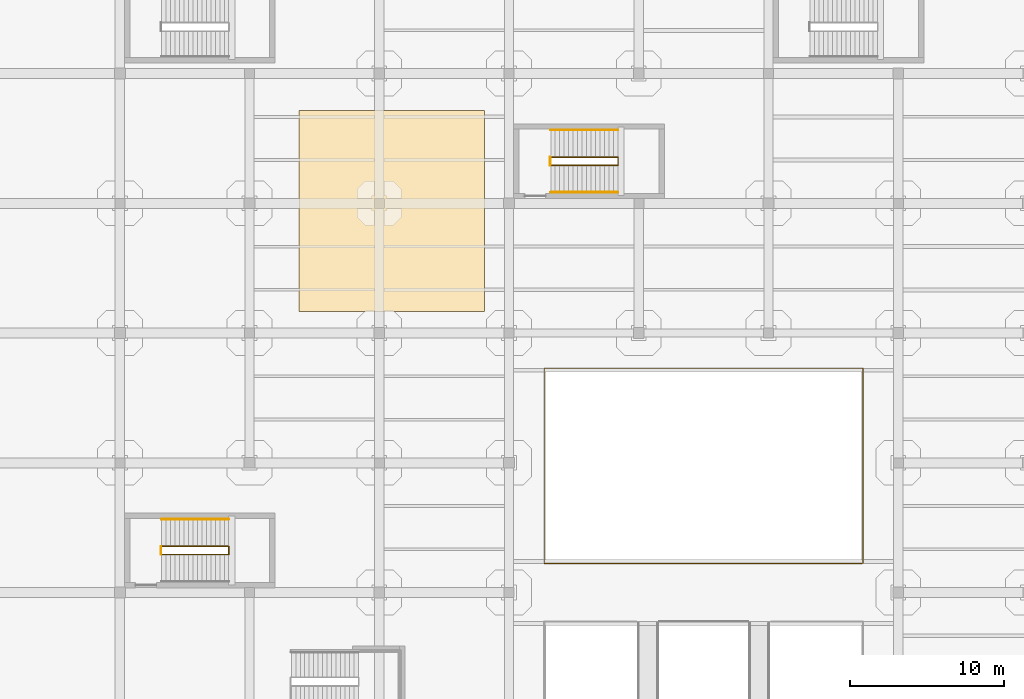
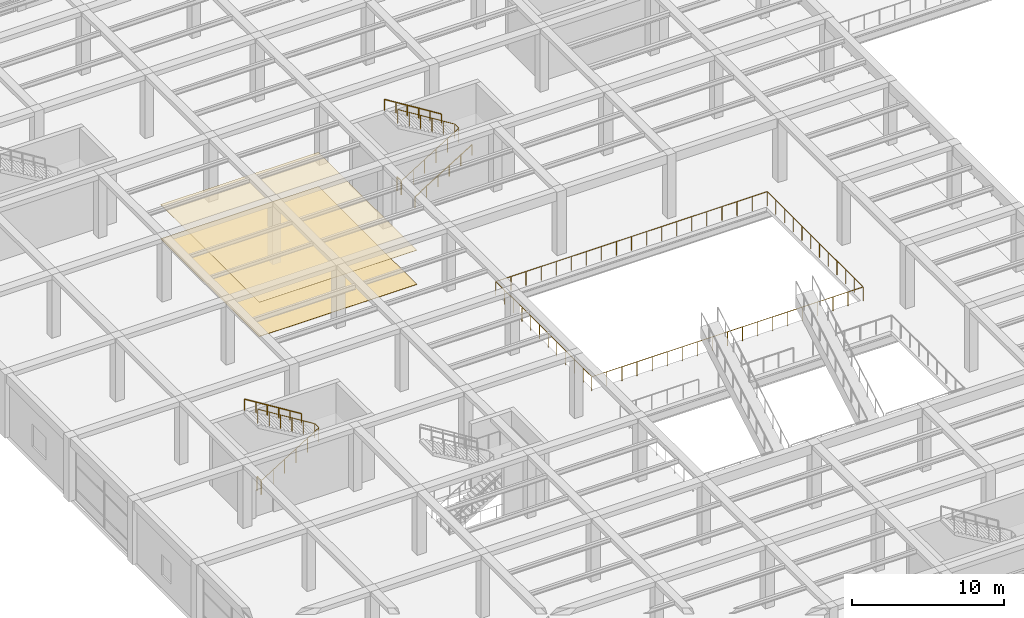
# One storey, part 88 of 96: 8 railings, 2 coverings.
"""IFC4 building model written with IfcOpenShell, lengths in metres."""

import ifcopenshell
import ifcopenshell.guid

model = None  # the IFC model being written
_history = None  # IfcOwnerHistory: only IFC2X3 demands one
_inside = {}  # id of a spatial element -> (the spatial element, [elements in it])
_under = {}  # id of a project, library or spatial element -> (it, [spatial elements below it])
_declared = {}  # id of a project -> (the project, [libraries it declares])
_typed = {}  # id of a type object -> (the type object, [elements of that type])
_made_of = {}  # id of a material, layer set ... -> (it, [elements and type objects made of it])


def new_model(schema):
    """Start an empty IFC model of exactly this schema.

    Asked for "IFC4X3", IfcOpenShell would pick the latest addendum, in which some entities
    have other attributes; the version numbers below select the first issue.
    IFC2X3 requires an IfcOwnerHistory on every rooted entity: one is made here for all.
    """
    global model, _history
    if schema == "IFC4X3":
        model = ifcopenshell.file(schema_version=(4, 3, 0, 0))
    else:
        model = ifcopenshell.file(schema=schema)
    _inside.clear()
    _under.clear()
    _declared.clear()
    _typed.clear()
    _made_of.clear()
    _history = None
    if model.schema == "IFC2X3":
        org = make("IfcOrganization", Name="unknown")
        user = make(
            "IfcPersonAndOrganization",
            ThePerson=make("IfcPerson", FamilyName="unknown"),
            TheOrganization=org,
        )
        app = make(
            "IfcApplication",
            ApplicationDeveloper=org,
            Version="unknown",
            ApplicationFullName="unknown",
            ApplicationIdentifier="unknown",
        )
        _history = make(
            "IfcOwnerHistory",
            OwningUser=user,
            OwningApplication=app,
            ChangeAction="ADDED",
            CreationDate=0,
        )
    return model


def make(cls, **values):
    """One entity of the class cls with the attributes given. An attribute that is None is left unset."""
    return model.create_entity(
        cls, **{name: value for name, value in values.items() if value is not None}
    )


def rooted(cls, **values):
    """An entity with a GlobalId (a new one), such as an element, a storey or a relation."""
    return make(cls, GlobalId=ifcopenshell.guid.new(), OwnerHistory=_history, **values)


def si_unit(unit_type, name, prefix=None):
    """IfcSIUnit, for example si_unit("LENGTHUNIT", "METRE", prefix="MILLI")."""
    return make("IfcSIUnit", UnitType=unit_type, Prefix=prefix, Name=name)


def assignment(units):
    """IfcUnitAssignment: the units of a project."""
    return None if units is None else make("IfcUnitAssignment", Units=units)


def point(xyz):
    """IfcCartesianPoint."""
    return None if xyz is None else make("IfcCartesianPoint", Coordinates=xyz)


def direction(xyz):
    """IfcDirection."""
    return None if xyz is None else make("IfcDirection", DirectionRatios=xyz)


def frame(location, z_axis=None, x_axis=None):
    """IfcAxis2Placement3D, a coordinate frame: its origin and axes. An axis left out is left unset."""
    return make(
        "IfcAxis2Placement3D",
        Location=point(location),
        Axis=direction(z_axis),
        RefDirection=direction(x_axis),
    )


def frame_2d(location, x_axis=None):
    """IfcAxis2Placement2D, a coordinate frame in the plane: its origin and x axis."""
    return make(
        "IfcAxis2Placement2D", Location=point(location), RefDirection=direction(x_axis)
    )


def origin():
    """The frame at (0, 0, 0) with its axes left unset."""
    return frame((0.0, 0.0, 0.0))


def origin_2d():
    """The frame at (0, 0) in the plane with its x axis left unset."""
    return frame_2d((0.0, 0.0))


def place(relative_to, where):
    """IfcLocalPlacement: puts the frame where relative to a parent placement (None: the world)."""
    return make(
        "IfcLocalPlacement", PlacementRelTo=relative_to, RelativePlacement=where
    )


def context(
    kind, dimensions, precision=None, world=None, true_north=None, identifier=None
):
    """IfcGeometricRepresentationContext, for example the 3D "Model" context."""
    return make(
        "IfcGeometricRepresentationContext",
        ContextIdentifier=identifier,
        ContextType=kind,
        CoordinateSpaceDimension=dimensions,
        Precision=precision,
        WorldCoordinateSystem=world,
        TrueNorth=true_north,
    )


def subcontext(parent, identifier, kind, view, scale=None):
    """IfcGeometricRepresentationSubContext, for example "Body" below "Model"."""
    return make(
        "IfcGeometricRepresentationSubContext",
        ContextIdentifier=identifier,
        ContextType=kind,
        ParentContext=parent,
        TargetScale=scale,
        TargetView=view,
    )


def project(units=None, contexts=None):
    """IfcProject with its units and contexts."""
    return rooted(
        "IfcProject",
        Name="project",
        RepresentationContexts=contexts,
        UnitsInContext=assignment(units),
    )


def spatial(cls, under=None, at=None, **own):
    """A site, building, storey or space (cls), placed at a placement, below another one or the project."""
    s = rooted(cls, ObjectPlacement=at, **own)
    if under is not None:
        _under.setdefault(under.id(), (under, []))[1].append(s)
    return s


def polyline(points):
    """IfcPolyline through the points."""
    return make("IfcPolyline", Points=[point(p) for p in points])


def profile(cls, at=None, kind="AREA", **sizes):
    """A parametric profile (cls). Its sizes go by their IFC names, for example OverallWidth=200.0."""
    return make(cls, ProfileType=kind, Position=at, **sizes)


def circle(**sizes):
    """IfcCircleProfileDef."""
    return profile("IfcCircleProfileDef", **sizes)


def outline(outer, holes=None, kind="AREA"):
    """IfcArbitraryClosedProfileDef: a profile drawn as a closed curve; with holes, ...WithVoids."""
    if holes is None:
        return make("IfcArbitraryClosedProfileDef", ProfileType=kind, OuterCurve=outer)
    return make(
        "IfcArbitraryProfileDefWithVoids",
        ProfileType=kind,
        OuterCurve=outer,
        InnerCurves=holes,
    )


def extrude(swept, where, along, depth):
    """IfcExtrudedAreaSolid: the profile swept, set in the frame where, extruded along a direction by depth."""
    return make(
        "IfcExtrudedAreaSolid",
        SweptArea=swept,
        Position=where,
        ExtrudedDirection=direction(along),
        Depth=depth,
    )


def shape(context_of_items, identifier, shape_type, items):
    """IfcShapeRepresentation: the items that make up one representation, for example the "Body"."""
    return make(
        "IfcShapeRepresentation",
        ContextOfItems=context_of_items,
        RepresentationIdentifier=identifier,
        RepresentationType=shape_type,
        Items=items,
    )


def material(Name=None, Category=None):
    """IfcMaterial."""
    return make("IfcMaterial", Name=Name, Category=Category)


def layer(
    of_material, thickness, ventilated=None, Name=None, Category=None, Priority=None
):
    """IfcMaterialLayer: one layer of a wall or slab, of a material (None: an air gap)."""
    return make(
        "IfcMaterialLayer",
        Material=of_material,
        LayerThickness=thickness,
        IsVentilated=ventilated,
        Name=Name,
        Category=Category,
        Priority=Priority,
    )


def layer_set(layers, Name=None):
    """IfcMaterialLayerSet."""
    return make("IfcMaterialLayerSet", MaterialLayers=layers, LayerSetName=Name)


def made_of(thing, what):
    """Note that an element or type object is made of a material, layer set ...; save() writes the relation."""
    if what is not None:
        _made_of.setdefault(what.id(), (what, []))[1].append(thing)
    return thing


def type_object(cls, material=None, **own):
    """A type object (cls), such as IfcWallType, which elements share."""
    return made_of(rooted(cls, **own), material)


def element(
    cls,
    number,
    at=None,
    inside=None,
    cuts=None,
    type_object=None,
    material=None,
    context=None,
    identifier="Body",
    shape_type=None,
    held_by="IfcProductDefinitionShape",
    body=None,
    shapes=None,
    **own,
):
    """One element of the class cls, such as IfcWall. Its Tag is "e" and its number.

    at: its placement. inside: the storey or other place that contains it. cuts: it is an
    opening in that element (IfcRelVoidsElement). A single representation is given by context,
    identifier, shape_type and body (its items); several are given by shapes. held_by: the class
    of the entity that holds the representations. save() writes the other relations.
    """
    e = rooted(cls, Tag="e%d" % number, ObjectPlacement=at, **own)
    if body is not None:
        shapes = [shape(context, identifier, shape_type, body)]
    if shapes is not None:
        e.Representation = make(held_by, Representations=shapes)
    if inside is not None:
        _inside.setdefault(inside.id(), (inside, []))[1].append(e)
    if cuts is not None:
        rooted(
            "IfcRelVoidsElement", RelatingBuildingElement=cuts, RelatedOpeningElement=e
        )
    if type_object is not None:
        _typed.setdefault(type_object.id(), (type_object, []))[1].append(e)
    return made_of(e, material)


def aggregate(whole, parts):
    """IfcRelAggregates: a whole, such as a stair, and the parts it consists of."""
    return rooted("IfcRelAggregates", RelatingObject=whole, RelatedObjects=parts)


def save(model, path):
    """Write the relations noted so far, then the file.

    IfcRelAggregates (storeys below a building ...), IfcRelContainedInSpatialStructure (elements
    in a storey), IfcRelDefinesByType, IfcRelAssociatesMaterial and IfcRelDeclares: one each for
    every whole, place, type object, material and project.
    """
    for whole, parts in _under.values():
        aggregate(whole, parts)
    for where, things in _inside.values():
        rooted(
            "IfcRelContainedInSpatialStructure",
            RelatedElements=things,
            RelatingStructure=where,
        )
    for kind, things in _typed.values():
        rooted("IfcRelDefinesByType", RelatedObjects=things, RelatingType=kind)
    for what, things in _made_of.values():
        rooted("IfcRelAssociatesMaterial", RelatedObjects=things, RelatingMaterial=what)
    for by, libraries in _declared.values():
        rooted("IfcRelDeclares", RelatingContext=by, RelatedDefinitions=libraries)
    model.write(path)


model = new_model("IFC4")

# Units and contexts
model_context = context("Model", 3, precision=1e-05, world=origin(), true_north=direction((0.0, 1.0)))
body_context = subcontext(model_context, "Body", "Model", "MODEL_VIEW")
ifc_project = project(units=[si_unit("LENGTHUNIT", "METRE"), si_unit("AREAUNIT", "SQUARE_METRE"), si_unit("VOLUMEUNIT", "CUBIC_METRE"), si_unit("PLANEANGLEUNIT", "RADIAN"), si_unit("MASSUNIT", "GRAM", prefix="KILO")], contexts=[model_context])

# Site, building, storey
site_placement = place(None, origin())
site = spatial("IfcSite", under=ifc_project, at=site_placement, CompositionType="ELEMENT")
building_placement = place(site_placement, origin())
building = spatial("IfcBuilding", under=site, at=building_placement, Name="Almacenes y Pasaje Nevantli", CompositionType="ELEMENT")
storey_placement = place(building_placement, frame((0.0, 0.0, 6.0)))
storey = spatial("IfcBuildingStorey", under=building, at=storey_placement, Name="L02", CompositionType="ELEMENT", Elevation=6.0)

# Coverings
ifc_material_1 = material(Name="Perforated Acoustic Mineral Fiber Ceiling", Category="gypsum")
ifc_layer_1 = layer(ifc_material_1, 0.02001953125)
ifc_layer_set_1 = layer_set([ifc_layer_1], Name="Perforated Acoustic Mineral Fiber Ceiling")
covering_type_1 = type_object("IfcCoveringType", Name="COV-CEIL-ACU", PredefinedType="CEILING", material=ifc_layer_set_1)
covering_1_placement = place(storey_placement, frame((0.0, 0.0, 2.75)))
element("IfcCovering", 1, at=covering_1_placement, inside=storey, type_object=covering_type_1, Name="L02 Suspended Acoustic Ceiling Panel", PredefinedType="CEILING", context=body_context, shape_type="SweptSolid", body=[
    extrude(outline(polyline([(20.0, 77.0), (32.0, 77.0), (32.0, 90.0), (20.0, 90.0), (20.0, 77.0)])), origin(), (0.0, 0.0, 1.0), 0.02001953125),
])
ifc_material_2 = material(Name="Polished Toluca Stone Terrazzo Flooring", Category="masonry")
ifc_layer_2 = layer(ifc_material_2, 0.02490234375)
ifc_layer_set_2 = layer_set([ifc_layer_2], Name="Polished Toluca Stone Terrazzo Flooring")
covering_type_2 = type_object("IfcCoveringType", Name="COV-FLR-TERRAZZO", PredefinedType="FLOORING", material=ifc_layer_set_2)
covering_2_placement = place(storey_placement, origin())
element("IfcCovering", 2, at=covering_2_placement, inside=storey, type_object=covering_type_2, Name="L02 Polished Stone Terrazzo Floor Finish", PredefinedType="FLOORING", context=body_context, shape_type="SweptSolid", body=[
    extrude(outline(polyline([(20.0, 77.0), (32.0, 77.0), (32.0, 90.0), (20.0, 90.0), (20.0, 77.0)])), origin(), (0.0, 0.0, 1.0), 0.02490234375),
])

# Railings
ifc_material_3 = material(Name="Brushed Stainless Steel and Tempered Safety Glass", Category="steel")
railing_type_1 = type_object("IfcRailingType", Name="RL-GUARD-1100", PredefinedType="BALUSTRADE", material=ifc_material_3)
railing_1_placement = place(storey_placement, frame((11.10009765625, 61.260009765625, 0.0)))
element("IfcRailing", 3, at=railing_1_placement, inside=storey, type_object=railing_type_1, Name="L02 Stair ST-12 Inner Well Guard Balustrade", PredefinedType="BALUSTRADE", context=body_context, shape_type="SweptSolid", body=[
    extrude(circle(Radius=0.02392578125, at=origin_2d()), frame((0.025390625, 0.0, 1.1416015625), z_axis=(0.849636482215, 0.0, 0.527368797038), x_axis=(0.0, 1.0, 0.0)), (0.0, 0.0, 1.0), 5.0595703125),
    extrude(circle(Radius=0.02392578125, at=origin_2d()), frame((4.349853515625, 0.030029296875, 3.82568359375), z_axis=(0.0, 1.0, 0.0), x_axis=(-1.0, 0.0, 0.0)), (0.0, 0.0, 1.0), 0.469970703125),
    extrude(circle(Radius=0.02392578125, at=origin_2d()), frame((4.324462890625, 0.530029296875, 3.841552734375), z_axis=(-0.849636482215, 0.0, 0.527368797038), x_axis=(0.0, -1.0, 0.0)), (0.0, 0.0, 1.0), 5.0595703125),
    extrude(circle(Radius=0.02099609375, at=origin_2d()), origin(), (0.0, 0.0, 1.0), 1.096923828125),
    extrude(circle(Radius=0.02099609375, at=origin_2d()), frame((0.869873046875, 0.0, 0.5400390625)), (0.0, 0.0, 1.0), 1.096923828125),
    extrude(circle(Radius=0.02099609375, at=origin_2d()), frame((1.739990234375, 0.0, 1.080078125)), (0.0, 0.0, 1.0), 1.096923828125),
    extrude(circle(Radius=0.02099609375, at=origin_2d()), frame((2.60986328125, 0.0, 1.619873046875)), (0.0, 0.0, 1.0), 1.096923828125),
    extrude(circle(Radius=0.02099609375, at=origin_2d()), frame((3.47998046875, 0.0, 2.159912109375)), (0.0, 0.0, 1.0), 1.096923828125),
    extrude(circle(Radius=0.02099609375, at=origin_2d()), frame((4.349853515625, 0.0, 2.699951171875)), (0.0, 0.0, 1.0), 1.096923828125),
    extrude(circle(Radius=0.02099609375, at=origin_2d()), frame((4.349853515625, 0.530029296875, 2.699951171875)), (0.0, 0.0, 1.0), 1.096923828125),
    extrude(circle(Radius=0.02099609375, at=origin_2d()), frame((3.47998046875, 0.530029296875, 3.239990234375)), (0.0, 0.0, 1.0), 1.096923828125),
    extrude(circle(Radius=0.02099609375, at=origin_2d()), frame((2.60986328125, 0.530029296875, 3.780029296875)), (0.0, 0.0, 1.0), 1.096923828125),
    extrude(circle(Radius=0.02099609375, at=origin_2d()), frame((1.739990234375, 0.530029296875, 4.31982421875)), (0.0, 0.0, 1.0), 1.096923828125),
    extrude(circle(Radius=0.02099609375, at=origin_2d()), frame((0.869873046875, 0.530029296875, 4.85986328125)), (0.0, 0.0, 1.0), 1.096923828125),
    extrude(circle(Radius=0.02099609375, at=origin_2d()), frame((0.0, 0.530029296875, 5.39990234375)), (0.0, 0.0, 1.0), 1.096923828125),
])
railing_2_placement = place(storey_placement, frame((11.06005859375, 61.260009765625, 0.0)))
element("IfcRailing", 4, at=railing_2_placement, inside=storey, type_object=railing_type_1, Name="L02 Stair ST-12 Landing Well Slot Guard", PredefinedType="BALUSTRADE", context=body_context, shape_type="SweptSolid", body=[
    extrude(circle(Radius=0.02392578125, at=origin_2d()), frame((0.0, 0.030029296875, 1.1259765625), z_axis=(0.0, 1.0, 0.0), x_axis=(-1.0, 0.0, 0.0)), (0.0, 0.0, 1.0), 0.469970703125),
    extrude(circle(Radius=0.02099609375, at=origin_2d()), origin(), (0.0, 0.0, 1.0), 1.096923828125),
    extrude(circle(Radius=0.02099609375, at=origin_2d()), frame((0.0, 0.530029296875, 0.0)), (0.0, 0.0, 1.0), 1.096923828125),
])
railing_3_placement = place(storey_placement, frame((36.300048828125, 86.4599609375, 0.0)))
element("IfcRailing", 5, at=railing_3_placement, inside=storey, type_object=railing_type_1, Name="L02 Stair ST-15 Inner Well Guard Balustrade", PredefinedType="BALUSTRADE", context=body_context, shape_type="SweptSolid", body=[
    extrude(circle(Radius=0.02392578125, at=origin_2d()), frame((0.025390625, 0.0, 1.1416015625), z_axis=(0.849636482215, 0.0, 0.527368797038), x_axis=(0.0, 1.0, 0.0)), (0.0, 0.0, 1.0), 5.0595703125),
    extrude(circle(Radius=0.02392578125, at=origin_2d()), frame((4.349853515625, 0.030029296875, 3.82568359375), z_axis=(0.0, 1.0, 0.0), x_axis=(-1.0, 0.0, 0.0)), (0.0, 0.0, 1.0), 0.469970703125),
    extrude(circle(Radius=0.02392578125, at=origin_2d()), frame((4.324462890625, 0.530029296875, 3.841552734375), z_axis=(-0.849636482215, 0.0, 0.527368797038), x_axis=(0.0, -1.0, 0.0)), (0.0, 0.0, 1.0), 5.0595703125),
    extrude(circle(Radius=0.02099609375, at=origin_2d()), origin(), (0.0, 0.0, 1.0), 1.096923828125),
    extrude(circle(Radius=0.02099609375, at=origin_2d()), frame((0.869873046875, 0.0, 0.5400390625)), (0.0, 0.0, 1.0), 1.096923828125),
    extrude(circle(Radius=0.02099609375, at=origin_2d()), frame((1.739990234375, 0.0, 1.080078125)), (0.0, 0.0, 1.0), 1.096923828125),
    extrude(circle(Radius=0.02099609375, at=origin_2d()), frame((2.60986328125, 0.0, 1.619873046875)), (0.0, 0.0, 1.0), 1.096923828125),
    extrude(circle(Radius=0.02099609375, at=origin_2d()), frame((3.47998046875, 0.0, 2.159912109375)), (0.0, 0.0, 1.0), 1.096923828125),
    extrude(circle(Radius=0.02099609375, at=origin_2d()), frame((4.349853515625, 0.0, 2.699951171875)), (0.0, 0.0, 1.0), 1.096923828125),
    extrude(circle(Radius=0.02099609375, at=origin_2d()), frame((4.349853515625, 0.530029296875, 2.699951171875)), (0.0, 0.0, 1.0), 1.096923828125),
    extrude(circle(Radius=0.02099609375, at=origin_2d()), frame((3.47998046875, 0.530029296875, 3.239990234375)), (0.0, 0.0, 1.0), 1.096923828125),
    extrude(circle(Radius=0.02099609375, at=origin_2d()), frame((2.60986328125, 0.530029296875, 3.780029296875)), (0.0, 0.0, 1.0), 1.096923828125),
    extrude(circle(Radius=0.02099609375, at=origin_2d()), frame((1.739990234375, 0.530029296875, 4.31982421875)), (0.0, 0.0, 1.0), 1.096923828125),
    extrude(circle(Radius=0.02099609375, at=origin_2d()), frame((0.869873046875, 0.530029296875, 4.85986328125)), (0.0, 0.0, 1.0), 1.096923828125),
    extrude(circle(Radius=0.02099609375, at=origin_2d()), frame((0.0, 0.530029296875, 5.39990234375)), (0.0, 0.0, 1.0), 1.096923828125),
])
railing_4_placement = place(storey_placement, frame((36.260009765625, 86.4599609375, 0.0)))
element("IfcRailing", 6, at=railing_4_placement, inside=storey, type_object=railing_type_1, Name="L02 Stair ST-15 Landing Well Slot Guard", PredefinedType="BALUSTRADE", context=body_context, shape_type="SweptSolid", body=[
    extrude(circle(Radius=0.02392578125, at=origin_2d()), frame((0.0, 0.030029296875, 1.1259765625), z_axis=(0.0, 1.0, 0.0), x_axis=(-1.0, 0.0, 0.0)), (0.0, 0.0, 1.0), 0.469970703125),
    extrude(circle(Radius=0.02099609375, at=origin_2d()), origin(), (0.0, 0.0, 1.0), 1.096923828125),
    extrude(circle(Radius=0.02099609375, at=origin_2d()), frame((0.0, 0.530029296875, 0.0)), (0.0, 0.0, 1.0), 1.096923828125),
])
railing_5_placement = place(storey_placement, frame((35.8798828125, 60.679931640625, 0.0)))
element("IfcRailing", 7, at=railing_5_placement, inside=storey, type_object=railing_type_1, Name="L02 North Atrium Void Perimeter Guard Balustrade", PredefinedType="BALUSTRADE", context=body_context, shape_type="SweptSolid", body=[
    extrude(circle(Radius=0.02392578125, at=origin_2d()), frame((0.030029296875, 0.0, 1.1259765625), z_axis=(1.0, 0.0, 0.0), x_axis=(0.0, 1.0, 0.0)), (0.0, 0.0, 1.0), 20.580078125),
    extrude(circle(Radius=0.02392578125, at=origin_2d()), frame((20.64013671875, 0.030029296875, 1.1259765625), z_axis=(0.0, 1.0, 0.0), x_axis=(-1.0, 0.0, 0.0)), (0.0, 0.0, 1.0), 12.580078125),
    extrude(circle(Radius=0.02392578125, at=origin_2d()), frame((20.610107421875, 12.64013671875, 1.1259765625), z_axis=(-1.0, 0.0, 0.0), x_axis=(0.0, -1.0, 0.0)), (0.0, 0.0, 1.0), 20.580078125),
    extrude(circle(Radius=0.02392578125, at=origin_2d()), frame((0.0, 12.610107421875, 1.1259765625), z_axis=(0.0, -1.0, 0.0), x_axis=(1.0, 0.0, 0.0)), (0.0, 0.0, 1.0), 12.580078125),
    extrude(circle(Radius=0.02099609375, at=origin_2d()), origin(), (0.0, 0.0, 1.0), 1.096923828125),
    extrude(circle(Radius=0.02099609375, at=origin_2d()), frame((1.146728515625, 0.0, 0.0)), (0.0, 0.0, 1.0), 1.096923828125),
    extrude(circle(Radius=0.02099609375, at=origin_2d()), frame((2.29345703125, 0.0, 0.0)), (0.0, 0.0, 1.0), 1.096923828125),
    extrude(circle(Radius=0.02099609375, at=origin_2d()), frame((3.43994140625, 0.0, 0.0)), (0.0, 0.0, 1.0), 1.096923828125),
    extrude(circle(Radius=0.02099609375, at=origin_2d()), frame((4.586669921875, 0.0, 0.0)), (0.0, 0.0, 1.0), 1.096923828125),
    extrude(circle(Radius=0.02099609375, at=origin_2d()), frame((5.7333984375, 0.0, 0.0)), (0.0, 0.0, 1.0), 1.096923828125),
    extrude(circle(Radius=0.02099609375, at=origin_2d()), frame((6.880126953125, 0.0, 0.0)), (0.0, 0.0, 1.0), 1.096923828125),
    extrude(circle(Radius=0.02099609375, at=origin_2d()), frame((8.026611328125, 0.0, 0.0)), (0.0, 0.0, 1.0), 1.096923828125),
    extrude(circle(Radius=0.02099609375, at=origin_2d()), frame((9.17333984375, 0.0, 0.0)), (0.0, 0.0, 1.0), 1.096923828125),
    extrude(circle(Radius=0.02099609375, at=origin_2d()), frame((10.320068359375, 0.0, 0.0)), (0.0, 0.0, 1.0), 1.096923828125),
    extrude(circle(Radius=0.02099609375, at=origin_2d()), frame((11.466796875, 0.0, 0.0)), (0.0, 0.0, 1.0), 1.096923828125),
    extrude(circle(Radius=0.02099609375, at=origin_2d()), frame((12.613525390625, 0.0, 0.0)), (0.0, 0.0, 1.0), 1.096923828125),
    extrude(circle(Radius=0.02099609375, at=origin_2d()), frame((13.760009765625, 0.0, 0.0)), (0.0, 0.0, 1.0), 1.096923828125),
    extrude(circle(Radius=0.02099609375, at=origin_2d()), frame((14.90673828125, 0.0, 0.0)), (0.0, 0.0, 1.0), 1.096923828125),
    extrude(circle(Radius=0.02099609375, at=origin_2d()), frame((16.053466796875, 0.0, 0.0)), (0.0, 0.0, 1.0), 1.096923828125),
    extrude(circle(Radius=0.02099609375, at=origin_2d()), frame((17.2001953125, 0.0, 0.0)), (0.0, 0.0, 1.0), 1.096923828125),
    extrude(circle(Radius=0.02099609375, at=origin_2d()), frame((18.3466796875, 0.0, 0.0)), (0.0, 0.0, 1.0), 1.096923828125),
    extrude(circle(Radius=0.02099609375, at=origin_2d()), frame((19.493408203125, 0.0, 0.0)), (0.0, 0.0, 1.0), 1.096923828125),
    extrude(circle(Radius=0.02099609375, at=origin_2d()), frame((20.64013671875, 0.0, 0.0)), (0.0, 0.0, 1.0), 1.096923828125),
    extrude(circle(Radius=0.02099609375, at=origin_2d()), frame((20.64013671875, 1.149169921875, 0.0)), (0.0, 0.0, 1.0), 1.096923828125),
    extrude(circle(Radius=0.02099609375, at=origin_2d()), frame((20.64013671875, 2.298095703125, 0.0)), (0.0, 0.0, 1.0), 1.096923828125),
    extrude(circle(Radius=0.02099609375, at=origin_2d()), frame((20.64013671875, 3.447265625, 0.0)), (0.0, 0.0, 1.0), 1.096923828125),
    extrude(circle(Radius=0.02099609375, at=origin_2d()), frame((20.64013671875, 4.596435546875, 0.0)), (0.0, 0.0, 1.0), 1.096923828125),
    extrude(circle(Radius=0.02099609375, at=origin_2d()), frame((20.64013671875, 5.74560546875, 0.0)), (0.0, 0.0, 1.0), 1.096923828125),
    extrude(circle(Radius=0.02099609375, at=origin_2d()), frame((20.64013671875, 6.89453125, 0.0)), (0.0, 0.0, 1.0), 1.096923828125),
    extrude(circle(Radius=0.02099609375, at=origin_2d()), frame((20.64013671875, 8.043701171875, 0.0)), (0.0, 0.0, 1.0), 1.096923828125),
    extrude(circle(Radius=0.02099609375, at=origin_2d()), frame((20.64013671875, 9.19287109375, 0.0)), (0.0, 0.0, 1.0), 1.096923828125),
    extrude(circle(Radius=0.02099609375, at=origin_2d()), frame((20.64013671875, 10.342041015625, 0.0)), (0.0, 0.0, 1.0), 1.096923828125),
    extrude(circle(Radius=0.02099609375, at=origin_2d()), frame((20.64013671875, 11.490966796875, 0.0)), (0.0, 0.0, 1.0), 1.096923828125),
    extrude(circle(Radius=0.02099609375, at=origin_2d()), frame((20.64013671875, 12.64013671875, 0.0)), (0.0, 0.0, 1.0), 1.096923828125),
    extrude(circle(Radius=0.02099609375, at=origin_2d()), frame((19.493408203125, 12.64013671875, 0.0)), (0.0, 0.0, 1.0), 1.096923828125),
    extrude(circle(Radius=0.02099609375, at=origin_2d()), frame((18.3466796875, 12.64013671875, 0.0)), (0.0, 0.0, 1.0), 1.096923828125),
    extrude(circle(Radius=0.02099609375, at=origin_2d()), frame((17.2001953125, 12.64013671875, 0.0)), (0.0, 0.0, 1.0), 1.096923828125),
    extrude(circle(Radius=0.02099609375, at=origin_2d()), frame((16.053466796875, 12.64013671875, 0.0)), (0.0, 0.0, 1.0), 1.096923828125),
    extrude(circle(Radius=0.02099609375, at=origin_2d()), frame((14.90673828125, 12.64013671875, 0.0)), (0.0, 0.0, 1.0), 1.096923828125),
    extrude(circle(Radius=0.02099609375, at=origin_2d()), frame((13.760009765625, 12.64013671875, 0.0)), (0.0, 0.0, 1.0), 1.096923828125),
    extrude(circle(Radius=0.02099609375, at=origin_2d()), frame((12.613525390625, 12.64013671875, 0.0)), (0.0, 0.0, 1.0), 1.096923828125),
    extrude(circle(Radius=0.02099609375, at=origin_2d()), frame((11.466796875, 12.64013671875, 0.0)), (0.0, 0.0, 1.0), 1.096923828125),
    extrude(circle(Radius=0.02099609375, at=origin_2d()), frame((10.320068359375, 12.64013671875, 0.0)), (0.0, 0.0, 1.0), 1.096923828125),
    extrude(circle(Radius=0.02099609375, at=origin_2d()), frame((9.17333984375, 12.64013671875, 0.0)), (0.0, 0.0, 1.0), 1.096923828125),
    extrude(circle(Radius=0.02099609375, at=origin_2d()), frame((8.026611328125, 12.64013671875, 0.0)), (0.0, 0.0, 1.0), 1.096923828125),
    extrude(circle(Radius=0.02099609375, at=origin_2d()), frame((6.880126953125, 12.64013671875, 0.0)), (0.0, 0.0, 1.0), 1.096923828125),
    extrude(circle(Radius=0.02099609375, at=origin_2d()), frame((5.7333984375, 12.64013671875, 0.0)), (0.0, 0.0, 1.0), 1.096923828125),
    extrude(circle(Radius=0.02099609375, at=origin_2d()), frame((4.586669921875, 12.64013671875, 0.0)), (0.0, 0.0, 1.0), 1.096923828125),
    extrude(circle(Radius=0.02099609375, at=origin_2d()), frame((3.43994140625, 12.64013671875, 0.0)), (0.0, 0.0, 1.0), 1.096923828125),
    extrude(circle(Radius=0.02099609375, at=origin_2d()), frame((2.29345703125, 12.64013671875, 0.0)), (0.0, 0.0, 1.0), 1.096923828125),
    extrude(circle(Radius=0.02099609375, at=origin_2d()), frame((1.146728515625, 12.64013671875, 0.0)), (0.0, 0.0, 1.0), 1.096923828125),
    extrude(circle(Radius=0.02099609375, at=origin_2d()), frame((0.0, 12.64013671875, 0.0)), (0.0, 0.0, 1.0), 1.096923828125),
    extrude(circle(Radius=0.02099609375, at=origin_2d()), frame((0.0, 11.490966796875, 0.0)), (0.0, 0.0, 1.0), 1.096923828125),
    extrude(circle(Radius=0.02099609375, at=origin_2d()), frame((0.0, 10.342041015625, 0.0)), (0.0, 0.0, 1.0), 1.096923828125),
    extrude(circle(Radius=0.02099609375, at=origin_2d()), frame((0.0, 9.19287109375, 0.0)), (0.0, 0.0, 1.0), 1.096923828125),
    extrude(circle(Radius=0.02099609375, at=origin_2d()), frame((0.0, 8.043701171875, 0.0)), (0.0, 0.0, 1.0), 1.096923828125),
    extrude(circle(Radius=0.02099609375, at=origin_2d()), frame((0.0, 6.89453125, 0.0)), (0.0, 0.0, 1.0), 1.096923828125),
    extrude(circle(Radius=0.02099609375, at=origin_2d()), frame((0.0, 5.74560546875, 0.0)), (0.0, 0.0, 1.0), 1.096923828125),
    extrude(circle(Radius=0.02099609375, at=origin_2d()), frame((0.0, 4.596435546875, 0.0)), (0.0, 0.0, 1.0), 1.096923828125),
    extrude(circle(Radius=0.02099609375, at=origin_2d()), frame((0.0, 3.447265625, 0.0)), (0.0, 0.0, 1.0), 1.096923828125),
    extrude(circle(Radius=0.02099609375, at=origin_2d()), frame((0.0, 2.298095703125, 0.0)), (0.0, 0.0, 1.0), 1.096923828125),
    extrude(circle(Radius=0.02099609375, at=origin_2d()), frame((0.0, 1.149169921875, 0.0)), (0.0, 0.0, 1.0), 1.096923828125),
])
ifc_material_4 = material(Name="Brushed Stainless Steel Tube", Category="steel")
railing_type_2 = type_object("IfcRailingType", Name="RL-HANDRAIL-900", PredefinedType="HANDRAIL", material=ifc_material_4)
railing_6_placement = place(storey_placement, frame((15.449951171875, 63.5400390625, 2.699951171875)))
element("IfcRailing", 8, at=railing_6_placement, inside=storey, type_object=railing_type_2, Name="L02 Stair ST-12 Upper Flight Handrail", PredefinedType="HANDRAIL", context=body_context, shape_type="SweptSolid", body=[
    extrude(circle(Radius=0.02392578125, at=origin_2d()), frame((-0.025390625, 0.0, 0.8916015625), z_axis=(-0.849636482215, 0.0, 0.527368797038), x_axis=(0.0, -1.0, 0.0)), (0.0, 0.0, 1.0), 5.0595703125),
    extrude(circle(Radius=0.02099609375, at=origin_2d()), origin(), (0.0, 0.0, 1.0), 0.846923828125),
    extrude(circle(Radius=0.02099609375, at=origin_2d()), frame((-0.869873046875, 0.0, 0.5400390625)), (0.0, 0.0, 1.0), 0.846923828125),
    extrude(circle(Radius=0.02099609375, at=origin_2d()), frame((-1.739990234375, 0.0, 1.080078125)), (0.0, 0.0, 1.0), 0.846923828125),
    extrude(circle(Radius=0.02099609375, at=origin_2d()), frame((-2.60986328125, 0.0, 1.619873046875)), (0.0, 0.0, 1.0), 0.846923828125),
    extrude(circle(Radius=0.02099609375, at=origin_2d()), frame((-3.47998046875, 0.0, 2.159912109375)), (0.0, 0.0, 1.0), 0.846923828125),
    extrude(circle(Radius=0.02099609375, at=origin_2d()), frame((-4.349853515625, 0.0, 2.699951171875)), (0.0, 0.0, 1.0), 0.846923828125),
])
railing_7_placement = place(storey_placement, frame((36.300048828125, 84.7099609375, 0.0)))
element("IfcRailing", 9, at=railing_7_placement, inside=storey, type_object=railing_type_2, Name="L02 Stair ST-15 Lower Flight Handrail", PredefinedType="HANDRAIL", context=body_context, shape_type="SweptSolid", body=[
    extrude(circle(Radius=0.02392578125, at=origin_2d()), frame((0.025390625, 0.0, 0.8916015625), z_axis=(0.849636482215, 0.0, 0.527368797038), x_axis=(0.0, 1.0, 0.0)), (0.0, 0.0, 1.0), 5.0595703125),
    extrude(circle(Radius=0.02099609375, at=origin_2d()), origin(), (0.0, 0.0, 1.0), 0.846923828125),
    extrude(circle(Radius=0.02099609375, at=origin_2d()), frame((0.869873046875, 0.0, 0.5400390625)), (0.0, 0.0, 1.0), 0.846923828125),
    extrude(circle(Radius=0.02099609375, at=origin_2d()), frame((1.739990234375, 0.0, 1.080078125)), (0.0, 0.0, 1.0), 0.846923828125),
    extrude(circle(Radius=0.02099609375, at=origin_2d()), frame((2.60986328125, 0.0, 1.619873046875)), (0.0, 0.0, 1.0), 0.846923828125),
    extrude(circle(Radius=0.02099609375, at=origin_2d()), frame((3.47998046875, 0.0, 2.159912109375)), (0.0, 0.0, 1.0), 0.846923828125),
    extrude(circle(Radius=0.02099609375, at=origin_2d()), frame((4.349853515625, 0.0, 2.699951171875)), (0.0, 0.0, 1.0), 0.846923828125),
])
railing_8_placement = place(storey_placement, frame((40.64990234375, 88.739990234375, 2.699951171875)))
element("IfcRailing", 10, at=railing_8_placement, inside=storey, type_object=railing_type_2, Name="L02 Stair ST-15 Upper Flight Handrail", PredefinedType="HANDRAIL", context=body_context, shape_type="SweptSolid", body=[
    extrude(circle(Radius=0.02392578125, at=origin_2d()), frame((-0.025390625, 0.0, 0.8916015625), z_axis=(-0.849636482215, 0.0, 0.527368797038), x_axis=(0.0, -1.0, 0.0)), (0.0, 0.0, 1.0), 5.0595703125),
    extrude(circle(Radius=0.02099609375, at=origin_2d()), origin(), (0.0, 0.0, 1.0), 0.846923828125),
    extrude(circle(Radius=0.02099609375, at=origin_2d()), frame((-0.869873046875, 0.0, 0.5400390625)), (0.0, 0.0, 1.0), 0.846923828125),
    extrude(circle(Radius=0.02099609375, at=origin_2d()), frame((-1.739990234375, 0.0, 1.080078125)), (0.0, 0.0, 1.0), 0.846923828125),
    extrude(circle(Radius=0.02099609375, at=origin_2d()), frame((-2.60986328125, 0.0, 1.619873046875)), (0.0, 0.0, 1.0), 0.846923828125),
    extrude(circle(Radius=0.02099609375, at=origin_2d()), frame((-3.47998046875, 0.0, 2.159912109375)), (0.0, 0.0, 1.0), 0.846923828125),
    extrude(circle(Radius=0.02099609375, at=origin_2d()), frame((-4.349853515625, 0.0, 2.699951171875)), (0.0, 0.0, 1.0), 0.846923828125),
])

save(model, "model.ifc")
